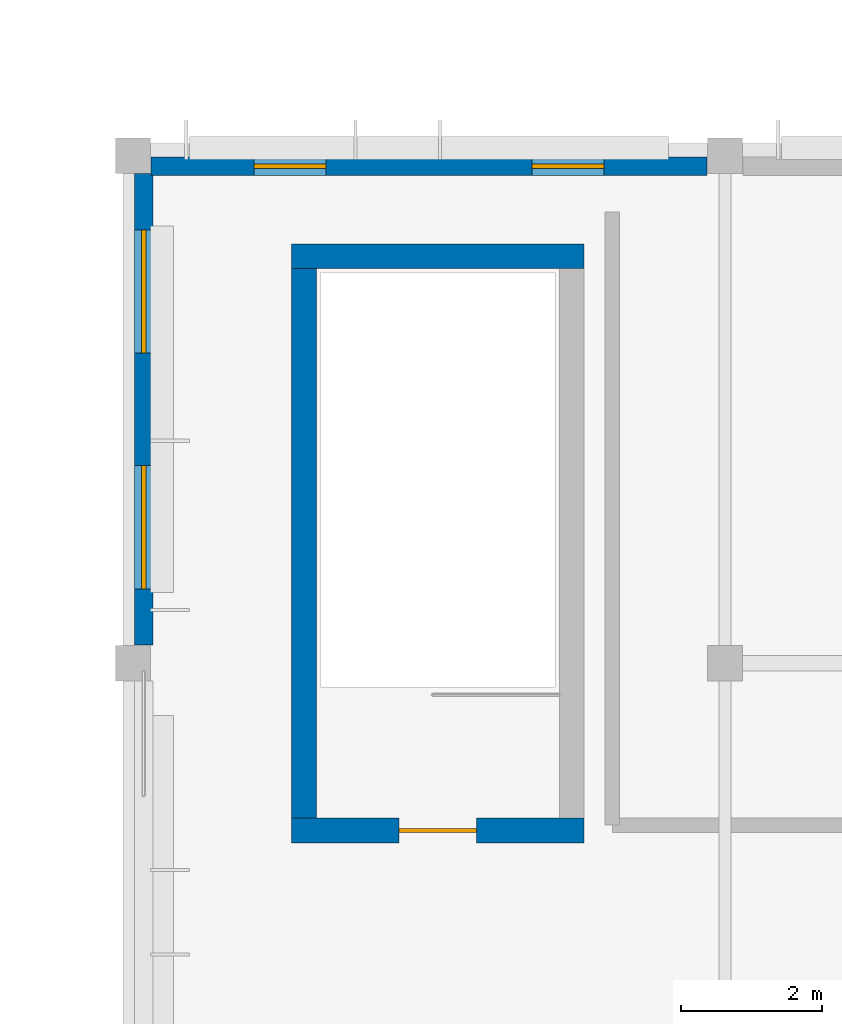
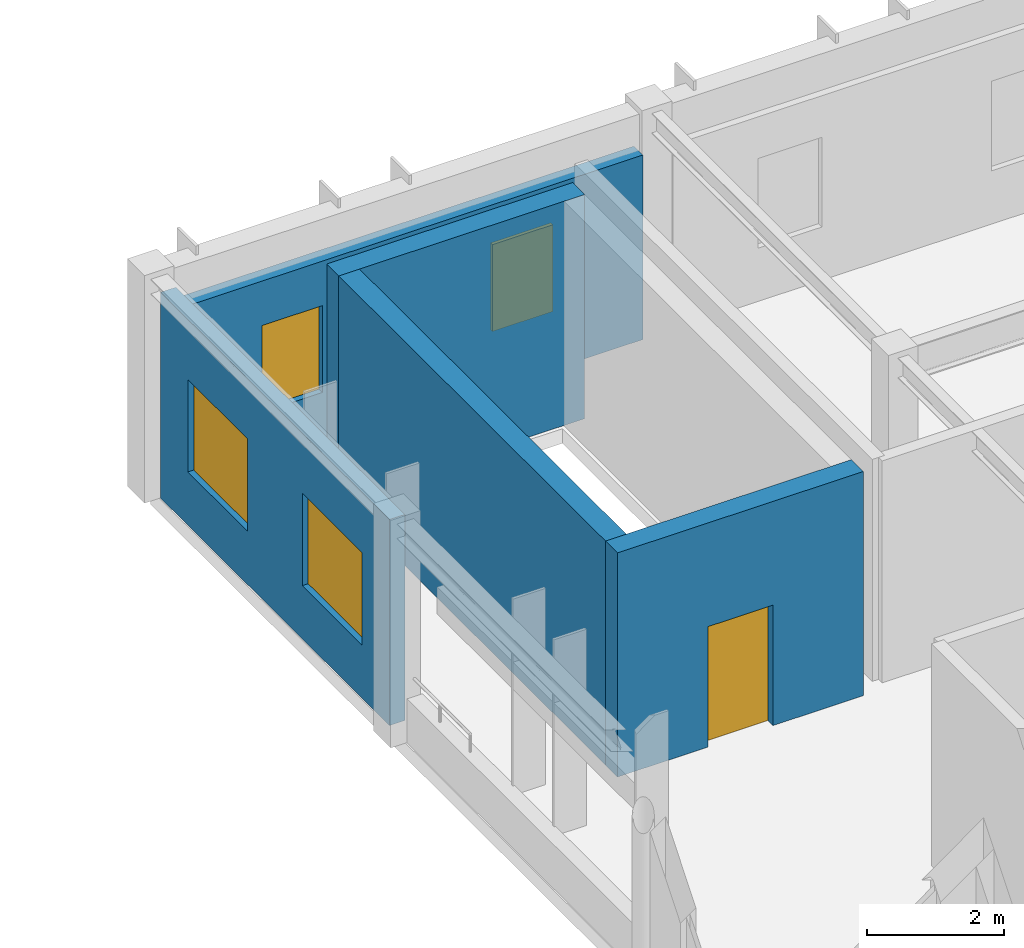
# One storey, part 41 of 104: 5 walls, 4 windows, 1 door, 5 openings.
"""IFC4 building model written with IfcOpenShell, lengths in metres."""

from ifc_helpers import new_model, si_unit, direction, frame, frame_2d, origin, place, context, subcontext, project, spatial, rectangle, extrude, material, layer, layer_set, type_object, element, fill, save


model = new_model("IFC4")

# Units and contexts
model_context = context("Model", 3, precision=1e-05, world=origin(), true_north=direction((0.0, 1.0)))
body_context = subcontext(model_context, "Body", "Model", "MODEL_VIEW")
ifc_project = project(units=[si_unit("LENGTHUNIT", "METRE"), si_unit("AREAUNIT", "SQUARE_METRE"), si_unit("VOLUMEUNIT", "CUBIC_METRE"), si_unit("PLANEANGLEUNIT", "RADIAN"), si_unit("MASSUNIT", "GRAM", prefix="KILO")], contexts=[model_context])

# Site, building, storey
site_placement = place(None, origin())
site = spatial("IfcSite", under=ifc_project, at=site_placement, CompositionType="ELEMENT")
building_placement = place(site_placement, origin())
building = spatial("IfcBuilding", under=site, at=building_placement, Name="Tazoul Stagehouse", CompositionType="ELEMENT")
storey_placement = place(building_placement, frame((0.0, 0.0, 9.0)))
storey = spatial("IfcBuildingStorey", under=building, at=storey_placement, Name="L02", CompositionType="ELEMENT", Elevation=9.0)

# Wall, opening, door
ifc_material_1 = material(Name="Concrete C40/50", Category="concrete")
ifc_layer_1 = layer(ifc_material_1, 0.35009765625, Name="Concrete C40/50")
ifc_layer_set_1 = layer_set([ifc_layer_1], Name="Concrete C40/50")
wall_type_1 = type_object("IfcWallType", Name="Core Shear Wall 350", PredefinedType="SOLIDWALL", material=ifc_layer_set_1)
wall_1_placement = place(storey_placement, frame((131.800048828125, 49.425048828125, 0.0), z_axis=(0.0, 0.0, 1.0), x_axis=(-1.0, 0.0, 0.0)))
wall_1 = element("IfcWall", 1, at=wall_1_placement, inside=storey, type_object=wall_type_1, Name="L02 Core Wall CW-350 (SHF-ST-07-south)", PredefinedType="SOLIDWALL", context=body_context, shape_type="SweptSolid", body=[
    extrude(rectangle(XDim=4.150146484375, YDim=0.35009765625, at=frame_2d((2.0751953125, 0.0))), origin(), (0.0, 0.0, 1.0), 4.0),
])
opening_1_placement = place(wall_1_placement, frame((1.52490234375, 0.0, 0.0)))
opening_1 = element("IfcOpeningElement", 2, at=opening_1_placement, cuts=wall_1, Name="Opening FD-01", PredefinedType="OPENING", context=body_context, shape_type="SweptSolid", body=[
    extrude(rectangle(XDim=1.10009765625, YDim=2.14990234375, at=frame_2d((0.550048828125, 1.074951171875))), frame((0.0, 0.195068359375, 0.0), z_axis=(0.0, -1.0, 0.0), x_axis=(1.0, 0.0, 0.0)), (0.0, 0.0, 1.0), 0.39013671875),
])
ifc_material_2 = material(Name="Powder-Coated Galvanised Acoustic Steel", Category="steel")
door_type = type_object("IfcDoorType", Name="Core Escape Stair Fire Door 1100x2150", OperationType="NOTDEFINED", PredefinedType="DOOR", material=ifc_material_2)
door_placement = place(opening_1_placement, origin())
door = element("IfcDoor", 3, at=door_placement, inside=storey, type_object=door_type, Name="L02 Escape Stair Fire Door FD-01 (ST-07)", OperationType="SINGLE_SWING_RIGHT", OverallHeight=2.14990234375, OverallWidth=1.10009765625, PredefinedType="DOOR", context=body_context, shape_type="SweptSolid", body=[
    extrude(rectangle(XDim=1.10009765625, YDim=2.14990234375, at=frame_2d((0.550048828125, 1.074951171875))), frame((0.0, 0.02490234375, 0.0), z_axis=(0.0, -1.0, 0.0), x_axis=(1.0, 0.0, 0.0)), (0.0, 0.0, 1.0), 0.050048828125),
])
fill(opening_1, door)

# Walls
wall_2_placement = place(storey_placement, frame((127.824951171875, 49.60009765625, 0.0), z_axis=(0.0, 0.0, 1.0), x_axis=(0.0, 1.0, 0.0)))
element("IfcWall", 4, at=wall_2_placement, inside=storey, type_object=wall_type_1, Name="L02 Core Wall CW-350 (SHF-ST-07-west)", PredefinedType="SOLIDWALL", context=body_context, shape_type="SweptSolid", body=[
    extrude(rectangle(XDim=7.7998046875, YDim=0.35009765625, at=frame_2d((3.89990234375, 0.0))), origin(), (0.0, 0.0, 1.0), 4.0),
])
wall_3_placement = place(storey_placement, frame((127.64990234375, 57.574951171875, 0.0), z_axis=(0.0, 0.0, 1.0), x_axis=(1.0, 0.0, 0.0)))
element("IfcWall", 5, at=wall_3_placement, inside=storey, type_object=wall_type_1, Name="L02 Core Wall CW-350 (SHF-ST-07-north)", PredefinedType="SOLIDWALL", context=body_context, shape_type="SweptSolid", body=[
    extrude(rectangle(XDim=4.150146484375, YDim=0.35009765625, at=frame_2d((2.0751953125, 0.0))), origin(), (0.0, 0.0, 1.0), 4.0),
])

# Wall, openings, windows
ifc_material_3 = material(Name="Precast concrete C40/50", Category="concrete")
ifc_layer_2 = layer(ifc_material_3, 0.260009765625, Name="Precast concrete C40/50")
ifc_layer_set_2 = layer_set([ifc_layer_2], Name="Precast concrete C40/50")
wall_type_2 = type_object("IfcWallType", Name="Curved Studio Drum Terracotta-Concrete Wall 260", PredefinedType="SOLIDWALL", material=ifc_layer_set_2)
wall_4_placement = place(storey_placement, frame((125.655029296875, 58.85009765625, 0.0), z_axis=(0.0, 0.0, 1.0), x_axis=(1.0, 0.0, 0.0)))
wall_4 = element("IfcWall", 6, at=wall_4_placement, inside=storey, type_object=wall_type_2, Name="L02 Wall EW-260 (WALL-V4-N-L02-S1)", PredefinedType="SOLIDWALL", context=body_context, shape_type="SweptSolid", body=[
    extrude(rectangle(XDim=7.889892578125, YDim=0.260009765625, at=frame_2d((3.94482421875, 0.0))), origin(), (0.0, 0.0, 1.0), 3.29296875),
])
opening_2_placement = place(wall_4_placement, frame((1.46240234375, 0.0, 0.949951171875)))
opening_2 = element("IfcOpeningElement", 7, at=opening_2_placement, cuts=wall_4, Name="Opening WN-37", PredefinedType="OPENING", context=body_context, shape_type="SweptSolid", body=[
    extrude(rectangle(XDim=1.02001953125, YDim=1.550048828125, at=frame_2d((0.510009765625, 0.77490234375))), frame((0.0, 0.14990234375, 0.0), z_axis=(0.0, -1.0, 0.0), x_axis=(1.0, 0.0, 0.0)), (0.0, 0.0, 1.0), 0.300048828125),
])
opening_3_placement = place(wall_4_placement, frame((5.407470703125, 0.0, 0.949951171875)))
opening_3 = element("IfcOpeningElement", 8, at=opening_3_placement, cuts=wall_4, Name="Opening WN-37", PredefinedType="OPENING", context=body_context, shape_type="SweptSolid", body=[
    extrude(rectangle(XDim=1.02001953125, YDim=1.550048828125, at=frame_2d((0.510009765625, 0.77490234375))), frame((0.0, 0.14990234375, 0.0), z_axis=(0.0, -1.0, 0.0), x_axis=(1.0, 0.0, 0.0)), (0.0, 0.0, 1.0), 0.300048828125),
])
ifc_material_4 = material(Name="Double Low-E Acoustic Laminated Glass", Category="glass")
window_type_1 = type_object("IfcWindowType", Name="Architectural Acoustic Facade Window 1020x1550", PartitioningType="SINGLE_PANEL", PredefinedType="WINDOW", material=ifc_material_4)
window_1_placement = place(opening_2_placement, origin())
window_1 = element("IfcWindow", 9, at=window_1_placement, inside=storey, type_object=window_type_1, Name="L02 Window WN-37 (WALL-V4-N-L02-S1-W1)", OverallHeight=1.550048828125, OverallWidth=1.02001953125, PartitioningType="SINGLE_PANEL", PredefinedType="WINDOW", context=body_context, shape_type="SweptSolid", body=[
    extrude(rectangle(XDim=1.02001953125, YDim=1.550048828125, at=frame_2d((0.510009765625, 0.77490234375))), frame((0.0, 0.030029296875, 0.0), z_axis=(0.0, -1.0, 0.0), x_axis=(1.0, 0.0, 0.0)), (0.0, 0.0, 1.0), 0.06005859375),
])
fill(opening_2, window_1)
window_2_placement = place(opening_3_placement, origin())
window_2 = element("IfcWindow", 10, at=window_2_placement, inside=storey, type_object=window_type_1, Name="L02 Window WN-37 (WALL-V4-N-L02-S1-W2)", OverallHeight=1.550048828125, OverallWidth=1.02001953125, PartitioningType="SINGLE_PANEL", PredefinedType="WINDOW", context=body_context, shape_type="SweptSolid", body=[
    extrude(rectangle(XDim=1.02001953125, YDim=1.550048828125, at=frame_2d((0.510009765625, 0.77490234375))), frame((0.0, 0.030029296875, 0.0), z_axis=(0.0, -1.0, 0.0), x_axis=(1.0, 0.0, 0.0)), (0.0, 0.0, 1.0), 0.06005859375),
])
fill(opening_3, window_2)

wall_5_placement = place(storey_placement, frame((125.550048828125, 52.054931640625, 0.0), z_axis=(0.0, 0.0, 1.0), x_axis=(0.0, 1.0, 0.0)))
wall_5 = element("IfcWall", 11, at=wall_5_placement, inside=storey, type_object=wall_type_2, Name="L02 Wall EW-260 (WALL-V4-W-L02-S5)", PredefinedType="SOLIDWALL", context=body_context, shape_type="SweptSolid", body=[
    extrude(rectangle(XDim=6.690185546875, YDim=0.260009765625, at=frame_2d((3.34521484375, 0.0))), origin(), (0.0, 0.0, 1.0), 3.673095703125),
])
opening_4_placement = place(wall_5_placement, frame((0.797607421875, 0.0, 0.949951171875)))
opening_4 = element("IfcOpeningElement", 12, at=opening_4_placement, cuts=wall_5, Name="Opening WN-26", PredefinedType="OPENING", context=body_context, shape_type="SweptSolid", body=[
    extrude(rectangle(XDim=1.75, YDim=1.64990234375, at=frame_2d((0.875, 0.824951171875))), frame((0.0, 0.14990234375, 0.0), z_axis=(0.0, -1.0, 0.0), x_axis=(1.0, 0.0, 0.0)), (0.0, 0.0, 1.0), 0.300048828125),
])
opening_5_placement = place(wall_5_placement, frame((4.142578125, 0.0, 0.949951171875)))
opening_5 = element("IfcOpeningElement", 13, at=opening_5_placement, cuts=wall_5, Name="Opening WN-26", PredefinedType="OPENING", context=body_context, shape_type="SweptSolid", body=[
    extrude(rectangle(XDim=1.75, YDim=1.64990234375, at=frame_2d((0.875, 0.824951171875))), frame((0.0, 0.14990234375, 0.0), z_axis=(0.0, -1.0, 0.0), x_axis=(1.0, 0.0, 0.0)), (0.0, 0.0, 1.0), 0.300048828125),
])
window_type_2 = type_object("IfcWindowType", Name="Rehearsal Daylight Window 1750x1650", PartitioningType="SINGLE_PANEL", PredefinedType="WINDOW", material=ifc_material_4)
window_3_placement = place(opening_4_placement, origin())
window_3 = element("IfcWindow", 14, at=window_3_placement, inside=storey, type_object=window_type_2, Name="L02 Window WN-26 (WALL-V4-W-L02-S5-W1)", OverallHeight=1.64990234375, OverallWidth=1.75, PartitioningType="SINGLE_PANEL", PredefinedType="WINDOW", context=body_context, shape_type="SweptSolid", body=[
    extrude(rectangle(XDim=1.75, YDim=1.64990234375, at=frame_2d((0.875, 0.824951171875))), frame((0.0, 0.030029296875, 0.0), z_axis=(0.0, -1.0, 0.0), x_axis=(1.0, 0.0, 0.0)), (0.0, 0.0, 1.0), 0.06005859375),
])
fill(opening_4, window_3)
window_4_placement = place(opening_5_placement, origin())
window_4 = element("IfcWindow", 15, at=window_4_placement, inside=storey, type_object=window_type_2, Name="L02 Window WN-26 (WALL-V4-W-L02-S5-W2)", OverallHeight=1.64990234375, OverallWidth=1.75, PartitioningType="SINGLE_PANEL", PredefinedType="WINDOW", context=body_context, shape_type="SweptSolid", body=[
    extrude(rectangle(XDim=1.75, YDim=1.64990234375, at=frame_2d((0.875, 0.824951171875))), frame((0.0, 0.030029296875, 0.0), z_axis=(0.0, -1.0, 0.0), x_axis=(1.0, 0.0, 0.0)), (0.0, 0.0, 1.0), 0.06005859375),
])
fill(opening_5, window_4)

save(model, "model.ifc")
